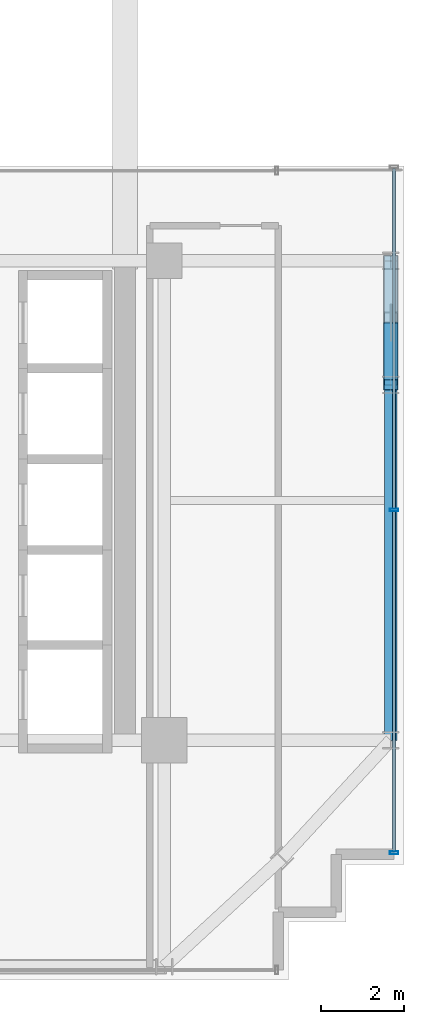
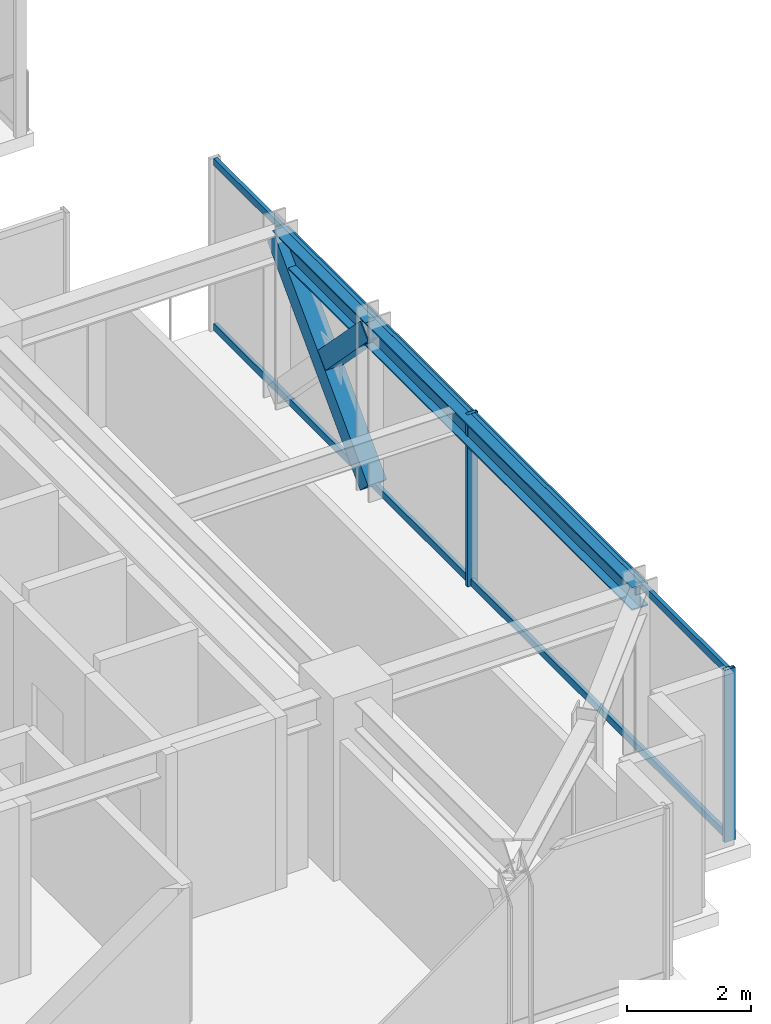
# One storey, part 15 of 37: 8 members, 2 beams, 1 element without a shape of its own.
"""IFC4 building model written with IfcOpenShell, lengths in metres."""

from ifc_helpers import new_model, si_unit, direction, frame, origin, origin_2d, place, context, subcontext, project, spatial, hollow_rectangle, i_section, extrude, source, transform, mapped, material, material_profile, profile_set, type_object, element, aggregate, save


model = new_model("IFC4")

# Units and contexts
model_context = context("Model", 3, precision=1e-05, world=origin(), true_north=direction((0.0, 1.0)))
body_context = subcontext(model_context, "Body", "Model", "MODEL_VIEW")
ifc_project = project(units=[si_unit("LENGTHUNIT", "METRE"), si_unit("AREAUNIT", "SQUARE_METRE"), si_unit("VOLUMEUNIT", "CUBIC_METRE"), si_unit("PLANEANGLEUNIT", "RADIAN"), si_unit("MASSUNIT", "GRAM", prefix="KILO")], contexts=[model_context])

# Site, building, storey
site_placement = place(None, origin())
site = spatial("IfcSite", under=ifc_project, at=site_placement, CompositionType="ELEMENT")
building_placement = place(site_placement, origin())
building = spatial("IfcBuilding", under=site, at=building_placement, Name="Nahalor Promenade Grand Hotel", CompositionType="ELEMENT")
storey_placement = place(building_placement, frame((0.0, 0.0, 167.25)))
storey = spatial("IfcBuildingStorey", under=building, at=storey_placement, Name="L42", CompositionType="ELEMENT", Elevation=167.25)

# Beams
ifc_material_1 = material(Name="Steel S355JR", Category="steel")
ifc_material_profile_1 = material_profile(ifc_material_1, i_section(OverallWidth=0.3, OverallDepth=0.45, WebThickness=0.014, FlangeThickness=0.026, at=origin_2d()), Name="HEB 450")
ifc_profile_set_1 = profile_set([ifc_material_profile_1], Name="Steel S355JR")
beam_type = type_object("IfcBeamType", Name="Beam-Spandrel-HEB450", PredefinedType="SPANDREL", material=ifc_profile_set_1)
shared_shape_1 = source(origin(), body_context, "Body", "SweptSolid", [
    extrude(i_section(OverallWidth=0.3, OverallDepth=0.45, WebThickness=0.014, FlangeThickness=0.026, at=origin_2d()), origin(), (0.0, 0.0, 1.0), 8.60009765625),
])
beam_1_placement = place(storey_placement, frame((22.47998046875, -17.0, 3.1650390625), z_axis=(0.0, 1.0, 0.0), x_axis=(-1.0, 0.0, 0.0)))
element("IfcBeam", 1, at=beam_1_placement, inside=storey, type_object=beam_type, Name="BM-L42-SP-E-0", PredefinedType="SPANDREL", context=body_context, shape_type="MappedRepresentation", body=[
    mapped(shared_shape_1, transform((0.0, 0.0, 0.0), scale=1.0)),
])
shared_shape_2 = source(origin(), body_context, "Body", "SweptSolid", [
    extrude(i_section(OverallWidth=0.3, OverallDepth=0.45, WebThickness=0.014, FlangeThickness=0.026, at=origin_2d()), origin(), (0.0, 0.0, 1.0), 3.0),
])
beam_2_placement = place(storey_placement, frame((22.47998046875, -8.39990234375, 3.1650390625), z_axis=(0.0, 1.0, 0.0), x_axis=(-1.0, 0.0, 0.0)))
element("IfcBeam", 2, at=beam_2_placement, inside=storey, type_object=beam_type, Name="BM-L42-SP-E-1", PredefinedType="SPANDREL", context=body_context, shape_type="MappedRepresentation", body=[
    mapped(shared_shape_2, transform((0.0, 0.0, 0.0), scale=1.0)),
])

# Members
ifc_material_profile_2 = material_profile(ifc_material_1, hollow_rectangle(XDim=0.35, YDim=0.35, WallThickness=0.02, at=origin_2d()), Name="SHS 350x350x20")
ifc_profile_set_2 = profile_set([ifc_material_profile_2], Name="Steel S355JR")
member_type_1 = type_object("IfcMemberType", Name="Mem-VoidBrace-SHS350", PredefinedType="BRACE", material=ifc_profile_set_2)
shared_shape_3 = source(origin(), body_context, "Body", "SweptSolid", [
    extrude(hollow_rectangle(XDim=0.35, YDim=0.35, WallThickness=0.02, at=origin_2d()), origin(), (0.0, 0.0, 1.0), 1.96630859375),
])
member_1_placement = place(storey_placement, frame((22.47998046875, -7.0302734375, 1.8291015625), z_axis=(0.0, -0.696537426897, 0.717520461682), x_axis=(1.0, 0.0, 0.0)))
element("IfcMember", 3, at=member_1_placement, inside=storey, type_object=member_type_1, Name="EXO-L42-VX2-E0B", PredefinedType="BRACE", context=body_context, shape_type="MappedRepresentation", body=[
    mapped(shared_shape_3, transform((0.0, 0.0, 0.0), scale=1.0)),
])
shared_shape_4 = source(origin(), body_context, "Body", "SweptSolid", [
    extrude(hollow_rectangle(XDim=0.35, YDim=0.35, WallThickness=0.02, at=origin_2d()), origin(), (0.0, 0.0, 1.0), 4.306884765625),
])
member_2_placement = place(storey_placement, frame((22.47998046875, -8.39990234375, 0.14990234375), z_axis=(0.0, 0.696570665899, 0.717488193219), x_axis=(-1.0, 0.0, 0.0)))
element("IfcMember", 4, at=member_2_placement, inside=storey, type_object=member_type_1, Name="EXO-L42-VX1-E0", PredefinedType="BRACE", context=body_context, shape_type="MappedRepresentation", body=[
    mapped(shared_shape_4, transform((0.0, 0.0, 0.0), scale=1.0)),
])

# Curtain wall, members
ifc_material_2 = material(Name="Anodised Bronze Aluminium EN AW-6063 T6", Category="aluminium")
curtain_wall_type = type_object("IfcCurtainWallType", Name="CW3 Elliptical-Void Collar Unitised Curtain Wall", PredefinedType="USERDEFINED", material=ifc_material_2)
curtain_wall_placement = place(storey_placement, origin())
curtain_wall = element("IfcCurtainWall", 5, at=curtain_wall_placement, inside=storey, type_object=curtain_wall_type, Name="L42 Curtain Wall CW-L42-E-1", ObjectType="UNITISED_CURTAIN_WALL", PredefinedType="USERDEFINED")
ifc_material_profile_3 = material_profile(ifc_material_2, hollow_rectangle(XDim=0.07, YDim=0.2, WallThickness=0.005, at=origin_2d()), Name="CWM 70x200x5")
ifc_profile_set_3 = profile_set([ifc_material_profile_3], Name="Anodised Bronze Aluminium EN AW-6063 T6")
member_type_2 = type_object("IfcMemberType", Name="CWM3 Void Collar Mullion 70x200", PredefinedType="MULLION", material=ifc_profile_set_3)
shared_shape_5 = source(origin(), body_context, "Body", "SweptSolid", [
    extrude(hollow_rectangle(XDim=0.07, YDim=0.2, WallThickness=0.005, at=origin_2d()), origin(), (0.0, 0.0, 1.0), 3.389892578125),
])
member_3_placement = place(storey_placement, frame((22.56005859375, -19.72509765625, 0.0), z_axis=(0.0, 0.0, 1.0), x_axis=(0.0, 1.0, 0.0)))
member_3 = element("IfcMember", 6, at=member_3_placement, type_object=member_type_2, Name="CW-L42-E-1 Mullion 0", PredefinedType="MULLION", context=body_context, shape_type="MappedRepresentation", body=[
    mapped(shared_shape_5, transform((0.0, 0.0, 0.0), scale=1.0)),
])
member_4_placement = place(storey_placement, frame((22.56005859375, -11.429931640625, 0.0), z_axis=(0.0, 0.0, 1.0), x_axis=(0.0, 1.0, 0.0)))
member_4 = element("IfcMember", 7, at=member_4_placement, type_object=member_type_2, Name="CW-L42-E-1 Mullion 1", PredefinedType="MULLION", context=body_context, shape_type="MappedRepresentation", body=[
    mapped(shared_shape_5, transform((0.0, 0.0, 0.0), scale=1.0)),
])
ifc_material_profile_4 = material_profile(ifc_material_2, hollow_rectangle(XDim=0.07, YDim=0.14, WallThickness=0.004, at=origin_2d()), Name="CWT 70x140x4")
ifc_profile_set_4 = profile_set([ifc_material_profile_4], Name="Anodised Bronze Aluminium EN AW-6063 T6")
member_type_3 = type_object("IfcMemberType", Name="CWT3 Void Collar Transom 70x140", PredefinedType="USERDEFINED", material=ifc_profile_set_4)
shared_shape_6 = source(origin(), body_context, "Body", "SweptSolid", [
    extrude(hollow_rectangle(XDim=0.07, YDim=0.14, WallThickness=0.004, at=origin_2d()), origin(), (0.0, 0.0, 1.0), 8.224853515625),
])
member_5_placement = place(storey_placement, frame((22.56005859375, -19.68994140625, 0.070068359375), z_axis=(0.0, 1.0, 0.0), x_axis=(-1.0, 0.0, 0.0)))
member_5 = element("IfcMember", 8, at=member_5_placement, type_object=member_type_3, Name="CW-L42-E-1 Transom 0-0", ObjectType="TRANSOM", PredefinedType="USERDEFINED", context=body_context, shape_type="MappedRepresentation", body=[
    mapped(shared_shape_6, transform((0.0, 0.0, 0.0), scale=1.0)),
])
member_6_placement = place(storey_placement, frame((22.56005859375, -19.68994140625, 3.320068359375), z_axis=(0.0, 1.0, 0.0), x_axis=(-1.0, 0.0, 0.0)))
member_6 = element("IfcMember", 9, at=member_6_placement, type_object=member_type_3, Name="CW-L42-E-1 Transom 0-1", ObjectType="TRANSOM", PredefinedType="USERDEFINED", context=body_context, shape_type="MappedRepresentation", body=[
    mapped(shared_shape_6, transform((0.0, 0.0, 0.0), scale=1.0)),
])
shared_shape_7 = source(origin(), body_context, "Body", "SweptSolid", [
    extrude(hollow_rectangle(XDim=0.07, YDim=0.14, WallThickness=0.004, at=origin_2d()), origin(), (0.0, 0.0, 1.0), 8.22509765625),
])
member_7_placement = place(storey_placement, frame((22.56005859375, -11.39501953125, 0.070068359375), z_axis=(0.0, 1.0, 0.0), x_axis=(-1.0, 0.0, 0.0)))
member_7 = element("IfcMember", 10, at=member_7_placement, type_object=member_type_3, Name="CW-L42-E-1 Transom 1-0", ObjectType="TRANSOM", PredefinedType="USERDEFINED", context=body_context, shape_type="MappedRepresentation", body=[
    mapped(shared_shape_7, transform((0.0, 0.0, 0.0), scale=1.0)),
])
member_8_placement = place(storey_placement, frame((22.56005859375, -11.39501953125, 3.320068359375), z_axis=(0.0, 1.0, 0.0), x_axis=(-1.0, 0.0, 0.0)))
member_8 = element("IfcMember", 11, at=member_8_placement, type_object=member_type_3, Name="CW-L42-E-1 Transom 1-1", ObjectType="TRANSOM", PredefinedType="USERDEFINED", context=body_context, shape_type="MappedRepresentation", body=[
    mapped(shared_shape_7, transform((0.0, 0.0, 0.0), scale=1.0)),
])
aggregate(curtain_wall, [member_3, member_4, member_5, member_6, member_7, member_8])

save(model, "model.ifc")
